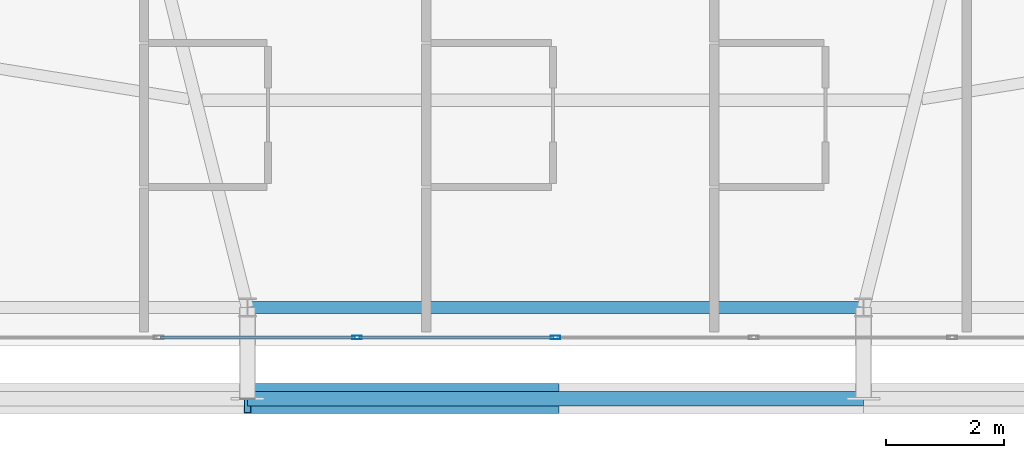
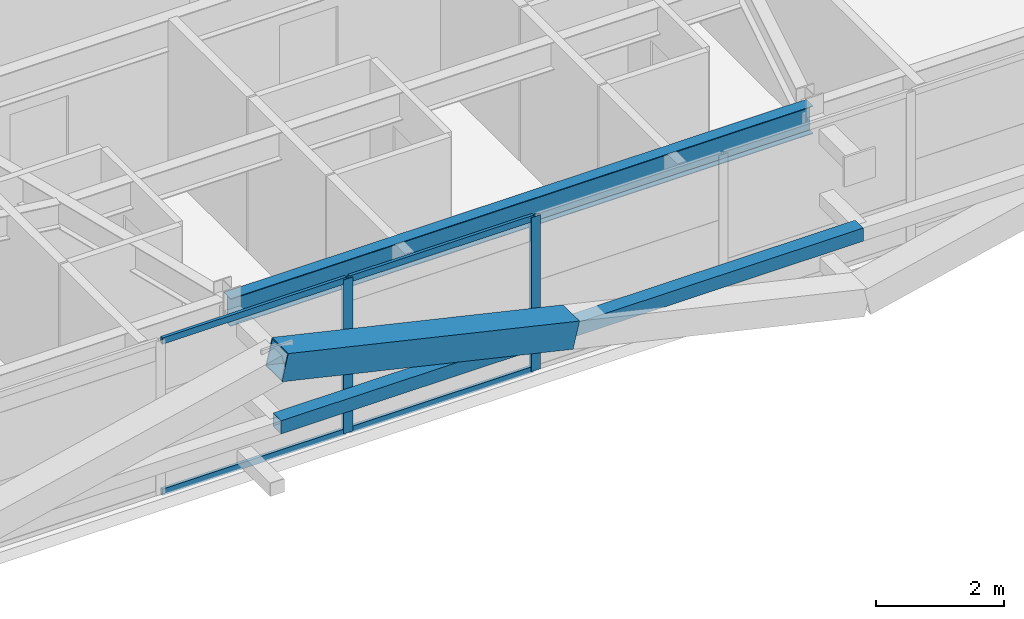
# One storey, part 12 of 59: 8 members, 1 beam, 1 element without a shape of its own.
"""IFC4 building model written with IfcOpenShell, lengths in metres."""

from ifc_helpers import new_model, si_unit, direction, frame, origin, origin_2d, place, context, subcontext, project, spatial, hollow_rectangle, i_section, extrude, source, transform, mapped, material, layer, layer_set, material_profile, profile_set, type_object, element, aggregate, save


model = new_model("IFC4")

# Units and contexts
model_context = context("Model", 3, precision=1e-05, world=origin(), true_north=direction((0.0, 1.0)))
body_context = subcontext(model_context, "Body", "Model", "MODEL_VIEW")
ifc_project = project(units=[si_unit("LENGTHUNIT", "METRE"), si_unit("AREAUNIT", "SQUARE_METRE"), si_unit("VOLUMEUNIT", "CUBIC_METRE"), si_unit("PLANEANGLEUNIT", "RADIAN"), si_unit("MASSUNIT", "GRAM", prefix="KILO")], contexts=[model_context])

# Site, building, storey
site_placement = place(None, origin())
site = spatial("IfcSite", under=ifc_project, at=site_placement, CompositionType="ELEMENT")
building_placement = place(site_placement, origin())
building = spatial("IfcBuilding", under=site, at=building_placement, Name="Taldren Reach Tower", CompositionType="ELEMENT")
storey_placement = place(building_placement, frame((0.0, 0.0, 45.14990234375)))
storey = spatial("IfcBuildingStorey", under=building, at=storey_placement, Name="L13", CompositionType="ELEMENT", Elevation=45.14990234375)

# Beam
ifc_material_1 = material(Name="Steel Gr 350 (350PLUS)", Category="steel")
ifc_material_profile_1 = material_profile(ifc_material_1, i_section(OverallWidth=0.208984375, OverallDepth=0.528076171875, WebThickness=0.009521484375, FlangeThickness=0.01318359375, at=origin_2d()), Name="530UB82.0")
ifc_profile_set_1 = profile_set([ifc_material_profile_1], Name="Steel Gr 350 (350PLUS)")
beam_type = type_object("IfcBeamType", Name="SP-UB530B", PredefinedType="SPANDREL", material=ifc_profile_set_1)
shared_shape_1 = source(origin(), body_context, "Body", "SweptSolid", [
    extrude(i_section(OverallWidth=0.208984375, OverallDepth=0.528076171875, WebThickness=0.009521484375, FlangeThickness=0.01318359375, at=origin_2d()), origin(), (0.0, 0.0, 1.0), 10.47998046875),
])
beam_placement = place(storey_placement, frame((29.760009765625, 2.14990234375, 2.666015625), z_axis=(1.0, 0.0, 0.0), x_axis=(0.0, 1.0, 0.0)))
element("IfcBeam", 1, at=beam_placement, inside=storey, type_object=beam_type, Name="Perimeter spandrel B1 S3-S4 L13", PredefinedType="SPANDREL", context=body_context, shape_type="MappedRepresentation", body=[
    mapped(shared_shape_1, transform((0.0, 0.0, 0.0), scale=1.0)),
])

# Members
ifc_material_2 = material(Name="Steel Gr 450 (C450L0)", Category="steel")
ifc_material_profile_2 = material_profile(ifc_material_2, hollow_rectangle(XDim=0.510009765625, YDim=0.510009765625, WallThickness=0.02001953125, at=origin_2d()), Name="510x510x20.0SHS")
ifc_profile_set_2 = profile_set([ifc_material_profile_2], Name="Steel Gr 450 (C450L0)")
member_type_1 = type_object("IfcMemberType", Name="MB-EXO508", PredefinedType="BRACE", material=ifc_profile_set_2)
shared_shape_2 = source(origin(), body_context, "Body", "SweptSolid", [
    extrude(hollow_rectangle(XDim=0.510009765625, YDim=0.510009765625, WallThickness=0.02001953125, at=origin_2d()), origin(), (0.0, 0.0, 1.0), 5.37890625),
])
member_1_placement = place(storey_placement, frame((35.0, 0.60009765625, 1.43505859375), z_axis=(-0.97415197996, 0.0, 0.225893603143), x_axis=(0.0, -1.0, 0.0)))
element("IfcMember", 2, at=member_1_placement, inside=storey, type_object=member_type_1, Name="Exoskeleton Diagrid Brace B1-S3 L13", PredefinedType="BRACE", context=body_context, shape_type="MappedRepresentation", body=[
    mapped(shared_shape_2, transform((0.0, 0.0, 0.0), scale=1.0)),
])
ifc_material_3 = material(Name="Steel Gr 350 (C350L0)", Category="steel")
ifc_material_profile_3 = material_profile(ifc_material_3, hollow_rectangle(XDim=0.25, YDim=0.25, WallThickness=0.010009765625, at=origin_2d()), Name="250x250x10.0SHS")
ifc_profile_set_3 = profile_set([ifc_material_profile_3], Name="Steel Gr 350 (C350L0)")
member_type_2 = type_object("IfcMemberType", Name="MB-POST250", PredefinedType="POST", material=ifc_profile_set_3)
shared_shape_3 = source(origin(), body_context, "Body", "SweptSolid", [
    extrude(hollow_rectangle(XDim=0.25, YDim=0.25, WallThickness=0.010009765625, at=origin_2d()), origin(), (0.0, 0.0, 1.0), 10.47998046875),
])
member_2_placement = place(storey_placement, frame((29.760009765625, 0.60009765625, 1.43505859375), z_axis=(1.0, 0.0, 0.0), x_axis=(0.0, 1.0, 0.0)))
element("IfcMember", 3, at=member_2_placement, inside=storey, type_object=member_type_2, Name="Exoskeleton mid-height ring chord B1-S3 L13", PredefinedType="POST", context=body_context, shape_type="MappedRepresentation", body=[
    mapped(shared_shape_3, transform((0.0, 0.0, 0.0), scale=1.0)),
])

# Curtain wall, members
ifc_material_4 = material(Name="Aluminium and Low-E Glass Unitised System", Category="aluminium")
ifc_layer = layer(ifc_material_4, 0.159912109375)
ifc_layer_set = layer_set([ifc_layer], Name="Aluminium and Low-E Glass Unitised System")
curtain_wall_type = type_object("IfcCurtainWallType", Name="CW-SYS-2", PredefinedType="NOTDEFINED", material=ifc_layer_set)
curtain_wall_placement = place(storey_placement, origin())
curtain_wall = element("IfcCurtainWall", 4, at=curtain_wall_placement, inside=storey, type_object=curtain_wall_type, Name="Unitised curtain wall CW-L13-S", PredefinedType="NOTDEFINED")
ifc_material_5 = material(Name="Anodised Aluminium 6063-T6", Category="aluminium")
ifc_material_profile_4 = material_profile(ifc_material_5, hollow_rectangle(XDim=0.054931640625, YDim=0.1201171875, WallThickness=0.0029296875, at=origin_2d()), Name="ALU-120x55x3RHS")
ifc_profile_set_4 = profile_set([ifc_material_profile_4], Name="Anodised Aluminium 6063-T6")
member_type_3 = type_object("IfcMemberType", Name="CW-TRN-135", PredefinedType="USERDEFINED", material=ifc_profile_set_4)
shared_shape_4 = source(origin(), body_context, "Body", "SweptSolid", [
    extrude(hollow_rectangle(XDim=0.054931640625, YDim=0.1201171875, WallThickness=0.0029296875, at=origin_2d()), origin(), (0.0, 0.0, 1.0), 3.31005859375),
])
member_3_placement = place(storey_placement, frame((28.282470703125, 1.639892578125, 0.027587890625), z_axis=(1.0, 0.0, 0.0), x_axis=(0.0, 1.0, 0.0)))
member_3 = element("IfcMember", 5, at=member_3_placement, type_object=member_type_3, Name="CW-2 transom 7.1", ObjectType="TRANSOM", PredefinedType="USERDEFINED", context=body_context, shape_type="MappedRepresentation", body=[
    mapped(shared_shape_4, transform((0.0, 0.0, 0.0), scale=1.0)),
])
member_4_placement = place(storey_placement, frame((28.282470703125, 1.639892578125, 2.902587890625), z_axis=(1.0, 0.0, 0.0), x_axis=(0.0, 1.0, 0.0)))
member_4 = element("IfcMember", 6, at=member_4_placement, type_object=member_type_3, Name="CW-2 transom 7.2", ObjectType="TRANSOM", PredefinedType="USERDEFINED", context=body_context, shape_type="MappedRepresentation", body=[
    mapped(shared_shape_4, transform((0.0, 0.0, 0.0), scale=1.0)),
])
member_5_placement = place(storey_placement, frame((31.657470703125, 1.639892578125, 0.027587890625), z_axis=(1.0, 0.0, 0.0), x_axis=(0.0, 1.0, 0.0)))
member_5 = element("IfcMember", 7, at=member_5_placement, type_object=member_type_3, Name="CW-2 transom 8.1", ObjectType="TRANSOM", PredefinedType="USERDEFINED", context=body_context, shape_type="MappedRepresentation", body=[
    mapped(shared_shape_4, transform((0.0, 0.0, 0.0), scale=1.0)),
])
member_6_placement = place(storey_placement, frame((31.657470703125, 1.639892578125, 2.902587890625), z_axis=(1.0, 0.0, 0.0), x_axis=(0.0, 1.0, 0.0)))
member_6 = element("IfcMember", 8, at=member_6_placement, type_object=member_type_3, Name="CW-2 transom 8.2", ObjectType="TRANSOM", PredefinedType="USERDEFINED", context=body_context, shape_type="MappedRepresentation", body=[
    mapped(shared_shape_4, transform((0.0, 0.0, 0.0), scale=1.0)),
])
ifc_material_profile_5 = material_profile(ifc_material_5, hollow_rectangle(XDim=0.06494140625, YDim=0.1650390625, WallThickness=0.00390625, at=origin_2d()), Name="ALU-165x65x4RHS")
ifc_profile_set_5 = profile_set([ifc_material_profile_5], Name="Anodised Aluminium 6063-T6")
member_type_4 = type_object("IfcMemberType", Name="CW-MUL-165", PredefinedType="MULLION", material=ifc_profile_set_5)
shared_shape_5 = source(origin(), body_context, "Body", "SweptSolid", [
    extrude(hollow_rectangle(XDim=0.06494140625, YDim=0.1650390625, WallThickness=0.00390625, at=origin_2d()), origin(), (0.0, 0.0, 1.0), 2.93017578125),
])
member_7_placement = place(storey_placement, frame((31.625, 1.639892578125, 0.0), z_axis=(0.0, 0.0, 1.0), x_axis=(0.0, 1.0, 0.0)))
member_7 = element("IfcMember", 9, at=member_7_placement, type_object=member_type_4, Name="CW-2 mullion 8", PredefinedType="MULLION", context=body_context, shape_type="MappedRepresentation", body=[
    mapped(shared_shape_5, transform((0.0, 0.0, 0.0), scale=1.0)),
])
member_8_placement = place(storey_placement, frame((35.0, 1.639892578125, 0.0), z_axis=(0.0, 0.0, 1.0), x_axis=(0.0, 1.0, 0.0)))
member_8 = element("IfcMember", 10, at=member_8_placement, type_object=member_type_4, Name="CW-2 mullion 9", PredefinedType="MULLION", context=body_context, shape_type="MappedRepresentation", body=[
    mapped(shared_shape_5, transform((0.0, 0.0, 0.0), scale=1.0)),
])
aggregate(curtain_wall, [member_7, member_8, member_3, member_4, member_5, member_6])

save(model, "model.ifc")
